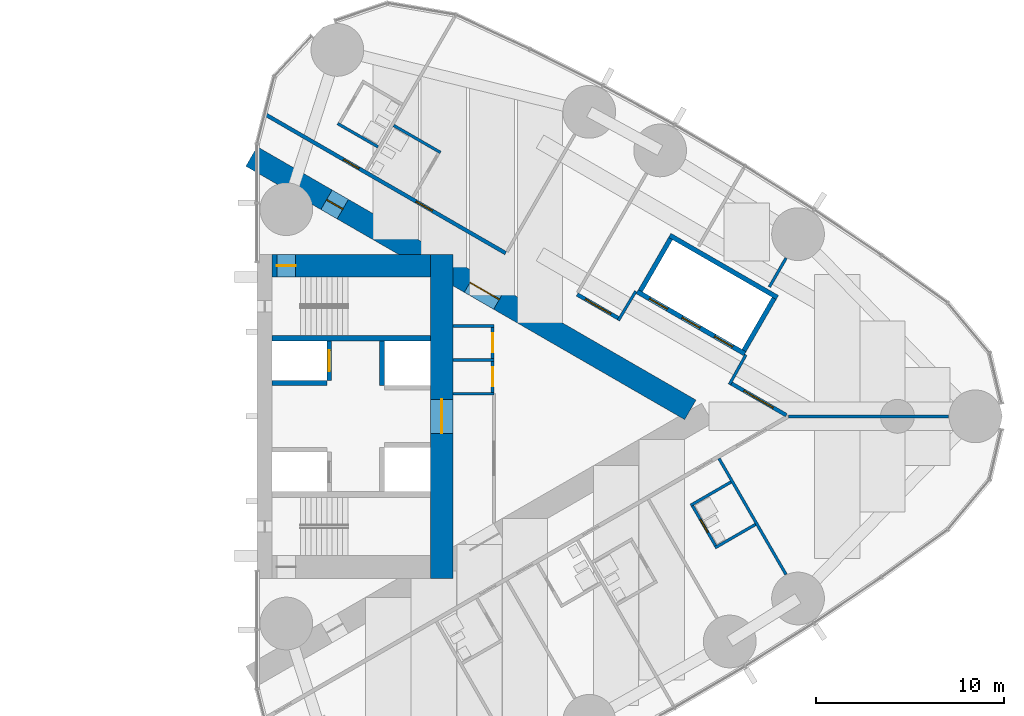
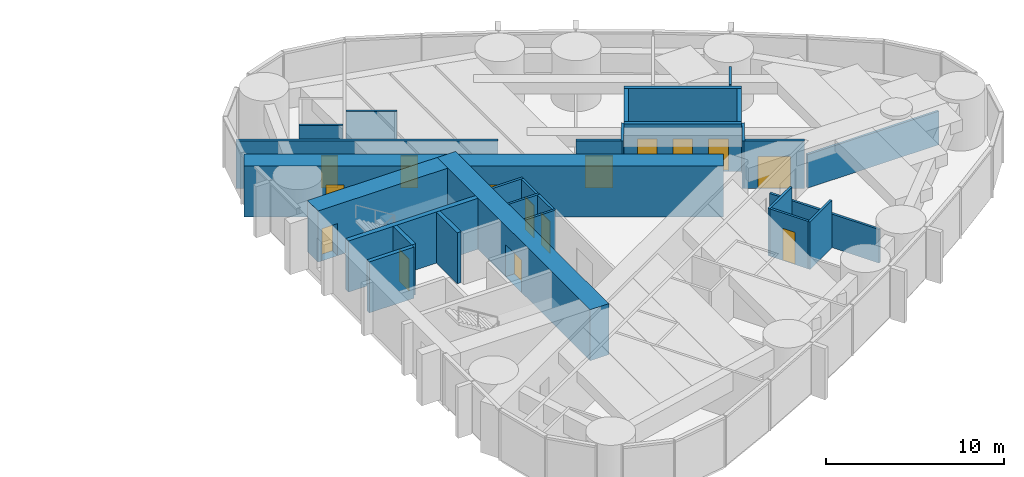
# One storey, part 15 of 19: 29 walls, 15 doors, 15 openings.
"""IFC4 building model written with IfcOpenShell, lengths in metres."""

from ifc_helpers import new_model, si_unit, direction, frame, frame_2d, origin, place, context, subcontext, project, spatial, rectangle, extrude, material, layer, layer_set, type_object, element, fill, save


model = new_model("IFC4")

# Units and contexts
model_context = context("Model", 3, precision=1e-05, world=origin(), true_north=direction((0.0, 1.0)))
body_context = subcontext(model_context, "Body", "Model", "MODEL_VIEW")
ifc_project = project(units=[si_unit("LENGTHUNIT", "METRE"), si_unit("AREAUNIT", "SQUARE_METRE"), si_unit("VOLUMEUNIT", "CUBIC_METRE"), si_unit("PLANEANGLEUNIT", "RADIAN"), si_unit("MASSUNIT", "GRAM", prefix="KILO")], contexts=[model_context])

# Site, building, storey
site_placement = place(None, origin())
site = spatial("IfcSite", under=ifc_project, at=site_placement, CompositionType="ELEMENT")
building_placement = place(site_placement, origin())
building = spatial("IfcBuilding", under=site, at=building_placement, Name="Lancet Gate Hotel", CompositionType="ELEMENT")
storey_placement = place(building_placement, frame((0.0, 0.0, 198.300048828125)))
storey = spatial("IfcBuildingStorey", under=building, at=storey_placement, Name="L53", CompositionType="ELEMENT", Elevation=198.300048828125)

# Wall
ifc_material_1 = material(Name="Moisture resistant board partition")
ifc_layer_1 = layer(ifc_material_1, 0.14990234375)
ifc_layer_set_1 = layer_set([ifc_layer_1], Name="Bathroom wall 150")
wall_type_1 = type_object("IfcWallType", Name="Bathroom wall 150", PredefinedType="PARTITIONING", material=ifc_layer_set_1)
wall_1_placement = place(storey_placement, frame((51.81689453125, -6.9775390625, 0.0), z_axis=(0.0, 0.0, 1.0), x_axis=(0.866006523861, 0.500032699561, 0.0)))
element("IfcWall", 1, at=wall_1_placement, inside=storey, type_object=wall_type_1, Name="T2 bathroom wall 150 L53", PredefinedType="PARTITIONING", context=body_context, shape_type="SweptSolid", body=[
    extrude(rectangle(XDim=2.474853515625, YDim=0.14990234375, at=frame_2d((1.2373046875, 0.0))), origin(), (0.0, 0.0, 1.0), 3.25),
])

# Wall, opening, door
wall_2_placement = place(storey_placement, frame((50.581787109375, -4.688232421875, 0.0), z_axis=(0.0, 0.0, 1.0), x_axis=(0.500006934395, -0.866021400173, 0.0)))
wall_2 = element("IfcWall", 2, at=wall_2_placement, inside=storey, type_object=wall_type_1, Name="T2 bathroom wall 150 L53", PredefinedType="PARTITIONING", context=body_context, shape_type="SweptSolid", body=[
    extrude(rectangle(XDim=2.60009765625, YDim=0.14990234375, at=frame_2d((1.300048828125, 0.0))), origin(), (0.0, 0.0, 1.0), 3.25),
])
opening_1_placement = place(wall_2_placement, frame((0.89990234375, 0.0, 0.0)))
opening_1 = element("IfcOpeningElement", 3, at=opening_1_placement, cuts=wall_2, Name="Opening 5356-B", PredefinedType="OPENING", context=body_context, shape_type="SweptSolid", body=[
    extrude(rectangle(XDim=0.800048828125, YDim=2.199951171875, at=frame_2d((0.39990234375, 1.10009765625))), frame((0.0, 0.0849609375, 0.0), z_axis=(0.0, -1.0, 0.0), x_axis=(1.0, 0.0, 0.0)), (0.0, 0.0, 1.0), 0.169921875),
])
ifc_material_2 = material(Name="Timber door set", Category="wood")
door_type_1 = type_object("IfcDoorType", Name="Bathroom door 800", OperationType="SINGLE_SWING_RIGHT", PredefinedType="DOOR", material=ifc_material_2)
door_1_placement = place(opening_1_placement, origin())
door_1 = element("IfcDoor", 4, at=door_1_placement, inside=storey, type_object=door_type_1, Name="5356-B", OperationType="SINGLE_SWING_RIGHT", OverallHeight=2.199951171875, OverallWidth=0.800048828125, PredefinedType="DOOR", context=body_context, shape_type="SweptSolid", body=[
    extrude(rectangle(XDim=0.800048828125, YDim=2.199951171875, at=frame_2d((0.39990234375, 1.10009765625))), frame((0.0, 0.02490234375, 0.0), z_axis=(0.0, -1.0, 0.0), x_axis=(1.0, 0.0, 0.0)), (0.0, 0.0, 1.0), 0.050048828125),
])
fill(opening_1, door_1)

# Walls
wall_3_placement = place(storey_placement, frame((50.516845703125, -4.725830078125, 0.0), z_axis=(0.0, 0.0, 1.0), x_axis=(0.866031185235, 0.4999899861, 0.0)))
element("IfcWall", 5, at=wall_3_placement, inside=storey, type_object=wall_type_1, Name="T2 bathroom wall 150 L53", PredefinedType="PARTITIONING", context=body_context, shape_type="SweptSolid", body=[
    extrude(rectangle(XDim=2.47509765625, YDim=0.14990234375, at=frame_2d((1.237548828125, 0.0))), origin(), (0.0, 0.0, 1.0), 3.25),
])
wall_4_placement = place(storey_placement, frame((34.74853515625, 15.4462890625, 0.0), z_axis=(0.0, 0.0, 1.0), x_axis=(0.866018712932, -0.500011588718, 0.0)))
element("IfcWall", 6, at=wall_4_placement, inside=storey, type_object=wall_type_1, Name="T2 bathroom wall 150 L53", PredefinedType="PARTITIONING", context=body_context, shape_type="SweptSolid", body=[
    extrude(rectangle(XDim=2.875, YDim=0.14990234375, at=frame_2d((1.4375, 0.0))), origin(), (0.0, 0.0, 1.0), 3.25),
])
wall_5_placement = place(storey_placement, frame((31.775146484375, 15.54638671875, 0.0), z_axis=(0.0, 0.0, 1.0), x_axis=(0.866031185235, -0.4999899861, 0.0)))
element("IfcWall", 7, at=wall_5_placement, inside=storey, type_object=wall_type_1, Name="T2 bathroom wall 150 L53", PredefinedType="PARTITIONING", context=body_context, shape_type="SweptSolid", body=[
    extrude(rectangle(XDim=2.47509765625, YDim=0.14990234375, at=frame_2d((1.237548828125, 0.0))), origin(), (0.0, 0.0, 1.0), 3.25),
])

# Wall, openings, doors
ifc_material_3 = material(Name="Concrete C70/85", Category="concrete")
ifc_layer_2 = layer(ifc_material_3, 1.199951171875)
ifc_layer_set_2 = layer_set([ifc_layer_2], Name="Buttress wall 1200")
wall_type_2 = type_object("IfcWallType", Name="Buttress wall 1200", PredefinedType="SHEAR", material=ifc_layer_set_2)
wall_6_placement = place(storey_placement, frame((27.199951171875, 13.800048828125, 0.0), z_axis=(0.0, 0.0, 1.0), x_axis=(0.866024515034, -0.500001539357, 0.0)))
wall_6 = element("IfcWall", 8, at=wall_6_placement, inside=storey, type_object=wall_type_2, Name="T2 buttress wall N L53", PredefinedType="SHEAR", context=body_context, shape_type="SweptSolid", body=[
    extrude(rectangle(XDim=26.9072265625, YDim=1.199951171875, at=frame_2d((13.45361328125, 0.0))), origin(), (0.0, 0.0, 1.0), 3.5),
])
opening_2_placement = place(wall_6_placement, frame((4.60009765625, 0.0, 0.0)))
opening_2 = element("IfcOpeningElement", 9, at=opening_2_placement, cuts=wall_6, Name="Opening T2-L53-LN", PredefinedType="OPENING", context=body_context, shape_type="SweptSolid", body=[
    extrude(rectangle(XDim=1.0, YDim=2.199951171875, at=frame_2d((0.5, 1.10009765625))), frame((0.0, 0.60986328125, 0.0), z_axis=(0.0, -1.0, 0.0), x_axis=(1.0, 0.0, 0.0)), (0.0, 0.0, 1.0), 1.219970703125),
])
opening_3_placement = place(wall_6_placement, frame((13.39453125, 0.0, 0.0)))
opening_3 = element("IfcOpeningElement", 10, at=opening_3_placement, cuts=wall_6, Name="Opening T2-L53-LHN", PredefinedType="OPENING", context=body_context, shape_type="SweptSolid", body=[
    extrude(rectangle(XDim=1.800048828125, YDim=2.199951171875, at=frame_2d((0.89990234375, 1.10009765625))), frame((0.0, 0.60986328125, 0.0), z_axis=(0.0, -1.0, 0.0), x_axis=(1.0, 0.0, 0.0)), (0.0, 0.0, 1.0), 1.219970703125),
])
ifc_material_4 = material(Name="Timber door set", Category="wood")
door_type_2 = type_object("IfcDoorType", Name="Lobby double door 1800", OperationType="DOUBLE_DOOR_SINGLE_SWING", PredefinedType="DOOR", material=ifc_material_4)
door_2_placement = place(opening_3_placement, origin())
door_2 = element("IfcDoor", 11, at=door_2_placement, inside=storey, type_object=door_type_2, Name="T2-L53-LHN", OperationType="DOUBLE_DOOR_SINGLE_SWING", OverallHeight=2.199951171875, OverallWidth=1.800048828125, PredefinedType="DOOR", context=body_context, shape_type="SweptSolid", body=[
    extrude(rectangle(XDim=1.800048828125, YDim=2.199951171875, at=frame_2d((0.89990234375, 1.10009765625))), frame((0.0, 0.02490234375, 0.0), z_axis=(0.0, -1.0, 0.0), x_axis=(1.0, 0.0, 0.0)), (0.0, 0.0, 1.0), 0.050048828125),
])
fill(opening_3, door_2)
ifc_material_5 = material(Name="Timber door set", Category="wood")
door_type_3 = type_object("IfcDoorType", Name="Stair lobby door 1000", OperationType="SINGLE_SWING_LEFT", PredefinedType="DOOR", material=ifc_material_5)
door_3_placement = place(opening_2_placement, origin())
door_3 = element("IfcDoor", 12, at=door_3_placement, inside=storey, type_object=door_type_3, Name="T2-L53-LN", OperationType="SINGLE_SWING_LEFT", OverallHeight=2.199951171875, OverallWidth=1.0, PredefinedType="DOOR", context=body_context, shape_type="SweptSolid", body=[
    extrude(rectangle(XDim=1.0, YDim=2.199951171875, at=frame_2d((0.5, 1.10009765625))), frame((0.0, 0.02490234375, 0.0), z_axis=(0.0, -1.0, 0.0), x_axis=(1.0, 0.0, 0.0)), (0.0, 0.0, 1.0), 0.050048828125),
])
fill(opening_2, door_3)

# Wall, opening, door
ifc_material_6 = material(Name="Concrete C70/85", Category="concrete")
ifc_layer_3 = layer(ifc_material_6, 1.199951171875)
ifc_layer_set_3 = layer_set([ifc_layer_3], Name="Core wall 1200")
wall_type_3 = type_object("IfcWallType", Name="Core wall 1200", PredefinedType="SHEAR", material=ifc_layer_set_3)
wall_7_placement = place(storey_placement, frame((37.300048828125, -8.60009765625, 0.0), z_axis=(0.0, 0.0, 1.0), x_axis=(0.0, 1.0, 0.0)))
wall_7 = element("IfcWall", 13, at=wall_7_placement, inside=storey, type_object=wall_type_3, Name="T2 core wall back L53", PredefinedType="SHEAR", context=body_context, shape_type="SweptSolid", body=[
    extrude(rectangle(XDim=17.2001953125, YDim=1.199951171875, at=frame_2d((8.60009765625, 0.0))), origin(), (0.0, 0.0, 1.0), 3.5),
])
opening_4_placement = place(wall_7_placement, frame((7.699951171875, 0.0, 0.0)))
opening_4 = element("IfcOpeningElement", 14, at=opening_4_placement, cuts=wall_7, Name="Opening T2-L53-LL", PredefinedType="OPENING", context=body_context, shape_type="SweptSolid", body=[
    extrude(rectangle(XDim=1.800048828125, YDim=2.199951171875, at=frame_2d((0.89990234375, 1.10009765625))), frame((0.0, 0.60986328125, 0.0), z_axis=(0.0, -1.0, 0.0), x_axis=(1.0, 0.0, 0.0)), (0.0, 0.0, 1.0), 1.219970703125),
])
door_4_placement = place(opening_4_placement, origin())
door_4 = element("IfcDoor", 15, at=door_4_placement, inside=storey, type_object=door_type_2, Name="T2-L53-LL", OperationType="DOUBLE_DOOR_SINGLE_SWING", OverallHeight=2.199951171875, OverallWidth=1.800048828125, PredefinedType="DOOR", context=body_context, shape_type="SweptSolid", body=[
    extrude(rectangle(XDim=1.800048828125, YDim=2.199951171875, at=frame_2d((0.89990234375, 1.10009765625))), frame((0.0, 0.02490234375, 0.0), z_axis=(0.0, -1.0, 0.0), x_axis=(1.0, 0.0, 0.0)), (0.0, 0.0, 1.0), 0.050048828125),
])
fill(opening_4, door_4)

wall_8_placement = place(storey_placement, frame((28.300048828125, 8.0, 0.0), z_axis=(0.0, 0.0, 1.0), x_axis=(1.0, 0.0, 0.0)))
wall_8 = element("IfcWall", 16, at=wall_8_placement, inside=storey, type_object=wall_type_3, Name="T2 core wall side-N L53", PredefinedType="SHEAR", context=body_context, shape_type="SweptSolid", body=[
    extrude(rectangle(XDim=8.39990234375, YDim=1.199951171875, at=frame_2d((4.199951171875, 0.0))), origin(), (0.0, 0.0, 1.0), 3.5),
])
opening_5_placement = place(wall_8_placement, frame((0.25, 0.0, 0.0)))
opening_5 = element("IfcOpeningElement", 17, at=opening_5_placement, cuts=wall_8, Name="Opening T2-L53-ST2", PredefinedType="OPENING", context=body_context, shape_type="SweptSolid", body=[
    extrude(rectangle(XDim=1.0, YDim=2.199951171875, at=frame_2d((0.5, 1.10009765625))), frame((0.0, 0.60986328125, 0.0), z_axis=(0.0, -1.0, 0.0), x_axis=(1.0, 0.0, 0.0)), (0.0, 0.0, 1.0), 1.219970703125),
])
ifc_material_7 = material(Name="Timber door set", Category="wood")
door_type_4 = type_object("IfcDoorType", Name="Stair door 1000", OperationType="SINGLE_SWING_RIGHT", PredefinedType="DOOR", material=ifc_material_7)
door_5_placement = place(opening_5_placement, origin())
door_5 = element("IfcDoor", 18, at=door_5_placement, inside=storey, type_object=door_type_4, Name="T2-L53-ST2", OperationType="SINGLE_SWING_RIGHT", OverallHeight=2.199951171875, OverallWidth=1.0, PredefinedType="DOOR", context=body_context, shape_type="SweptSolid", body=[
    extrude(rectangle(XDim=1.0, YDim=2.199951171875, at=frame_2d((0.5, 1.10009765625))), frame((0.0, 0.02490234375, 0.0), z_axis=(0.0, -1.0, 0.0), x_axis=(1.0, 0.0, 0.0)), (0.0, 0.0, 1.0), 0.050048828125),
])
fill(opening_5, door_5)

ifc_material_8 = material(Name="Gypsum board partition")
ifc_layer_4 = layer(ifc_material_8, 0.199951171875)
ifc_layer_set_4 = layer_set([ifc_layer_4], Name="Corridor wall 200")
wall_type_4 = type_object("IfcWallType", Name="Corridor wall 200", PredefinedType="PARTITIONING", material=ifc_layer_set_4)
wall_9_placement = place(storey_placement, frame((52.63916015625, 1.7685546875, 0.0), z_axis=(0.0, 0.0, 1.0), x_axis=(0.866027340901, -0.4999966448, 0.0)))
wall_9 = element("IfcWall", 19, at=wall_9_placement, inside=storey, type_object=wall_type_4, Name="T2 corridor wall 200 L53", PredefinedType="PARTITIONING", context=body_context, shape_type="SweptSolid", body=[
    extrude(rectangle(XDim=3.4169921875, YDim=0.199951171875, at=frame_2d((1.70849609375, 0.0))), origin(), (0.0, 0.0, 1.0), 3.25),
])
opening_6_placement = place(wall_9_placement, frame((0.80859375, 0.0, 0.0)))
opening_6 = element("IfcOpeningElement", 20, at=opening_6_placement, cuts=wall_9, Name="Opening T2-L53-LO1", PredefinedType="OPENING", context=body_context, shape_type="SweptSolid", body=[
    extrude(rectangle(XDim=1.800048828125, YDim=2.199951171875, at=frame_2d((0.89990234375, 1.10009765625))), frame((0.0, 0.10986328125, 0.0), z_axis=(0.0, -1.0, 0.0), x_axis=(1.0, 0.0, 0.0)), (0.0, 0.0, 1.0), 0.219970703125),
])
ifc_material_9 = material(Name="Timber door set", Category="wood")
door_type_5 = type_object("IfcDoorType", Name="Double door 1800", OperationType="DOUBLE_DOOR_SINGLE_SWING", PredefinedType="DOOR", material=ifc_material_9)
door_6_placement = place(opening_6_placement, origin())
door_6 = element("IfcDoor", 21, at=door_6_placement, inside=storey, type_object=door_type_5, Name="T2-L53-LO1", OperationType="DOUBLE_DOOR_SINGLE_SWING", OverallHeight=2.199951171875, OverallWidth=1.800048828125, PredefinedType="DOOR", context=body_context, shape_type="SweptSolid", body=[
    extrude(rectangle(XDim=1.800048828125, YDim=2.199951171875, at=frame_2d((0.89990234375, 1.10009765625))), frame((0.0, 0.02490234375, 0.0), z_axis=(0.0, -1.0, 0.0), x_axis=(1.0, 0.0, 0.0)), (0.0, 0.0, 1.0), 0.050048828125),
])
fill(opening_6, door_6)

# Wall, openings, doors
wall_10_placement = place(storey_placement, frame((27.95947265625, 16.017333984375, 0.0), z_axis=(0.0, 0.0, 1.0), x_axis=(0.866024165033, -0.500002145574, 0.0)))
wall_10 = element("IfcWall", 22, at=wall_10_placement, inside=storey, type_object=wall_type_4, Name="T2 corridor wall 200 L53", PredefinedType="PARTITIONING", context=body_context, shape_type="SweptSolid", body=[
    extrude(rectangle(XDim=14.708984375, YDim=0.199951171875, at=frame_2d((7.3544921875, 0.0))), origin(), (0.0, 0.0, 1.0), 3.25),
])
opening_7_placement = place(wall_10_placement, frame((9.215087890625, 0.0, 0.0)))
opening_7 = element("IfcOpeningElement", 23, at=opening_7_placement, cuts=wall_10, Name="Opening 5362-E", PredefinedType="OPENING", context=body_context, shape_type="SweptSolid", body=[
    extrude(rectangle(XDim=1.0, YDim=2.199951171875, at=frame_2d((0.5, 1.10009765625))), frame((0.0, 0.10986328125, 0.0), z_axis=(0.0, -1.0, 0.0), x_axis=(1.0, 0.0, 0.0)), (0.0, 0.0, 1.0), 0.219970703125),
])
opening_8_placement = place(wall_10_placement, frame((4.764892578125, 0.0, 0.0)))
opening_8 = element("IfcOpeningElement", 24, at=opening_8_placement, cuts=wall_10, Name="Opening 5364-E", PredefinedType="OPENING", context=body_context, shape_type="SweptSolid", body=[
    extrude(rectangle(XDim=0.949951171875, YDim=2.199951171875, at=frame_2d((0.47509765625, 1.10009765625))), frame((0.0, 0.10986328125, 0.0), z_axis=(0.0, -1.0, 0.0), x_axis=(1.0, 0.0, 0.0)), (0.0, 0.0, 1.0), 0.219970703125),
])
ifc_material_10 = material(Name="Timber door set", Category="wood")
door_type_6 = type_object("IfcDoorType", Name="Accessible guest room door 1000", OperationType="SINGLE_SWING_LEFT", PredefinedType="DOOR", material=ifc_material_10)
door_7_placement = place(opening_7_placement, origin())
door_7 = element("IfcDoor", 25, at=door_7_placement, inside=storey, type_object=door_type_6, Name="5362-E", OperationType="SINGLE_SWING_LEFT", OverallHeight=2.199951171875, OverallWidth=1.0, PredefinedType="DOOR", context=body_context, shape_type="SweptSolid", body=[
    extrude(rectangle(XDim=1.0, YDim=2.199951171875, at=frame_2d((0.5, 1.10009765625))), frame((0.0, 0.02490234375, 0.0), z_axis=(0.0, -1.0, 0.0), x_axis=(1.0, 0.0, 0.0)), (0.0, 0.0, 1.0), 0.050048828125),
])
fill(opening_7, door_7)
ifc_material_11 = material(Name="Timber door set", Category="wood")
door_type_7 = type_object("IfcDoorType", Name="Guest room entry door 950", OperationType="SINGLE_SWING_LEFT", PredefinedType="DOOR", material=ifc_material_11)
door_8_placement = place(opening_8_placement, origin())
door_8 = element("IfcDoor", 26, at=door_8_placement, inside=storey, type_object=door_type_7, Name="5364-E", OperationType="SINGLE_SWING_LEFT", OverallHeight=2.199951171875, OverallWidth=0.949951171875, PredefinedType="DOOR", context=body_context, shape_type="SweptSolid", body=[
    extrude(rectangle(XDim=0.949951171875, YDim=2.199951171875, at=frame_2d((0.47509765625, 1.10009765625))), frame((0.0, 0.02490234375, 0.0), z_axis=(0.0, -1.0, 0.0), x_axis=(1.0, 0.0, 0.0)), (0.0, 0.0, 1.0), 0.050048828125),
])
fill(opening_8, door_8)

# Wall, opening, door
wall_11_placement = place(storey_placement, frame((44.4931640625, 6.4716796875, 0.0), z_axis=(0.0, 0.0, 1.0), x_axis=(0.866027140358, -0.499996992154, 0.0)))
wall_11 = element("IfcWall", 27, at=wall_11_placement, inside=storey, type_object=wall_type_4, Name="T2 corridor wall 200 L53", PredefinedType="PARTITIONING", context=body_context, shape_type="SweptSolid", body=[
    extrude(rectangle(XDim=2.56591796875, YDim=0.199951171875, at=frame_2d((1.282958984375, 0.0))), origin(), (0.0, 0.0, 1.0), 3.25),
])
opening_9_placement = place(wall_11_placement, frame((0.5, 0.0, 0.0)))
opening_9 = element("IfcOpeningElement", 28, at=opening_9_placement, cuts=wall_11, Name="Opening T2-L53-LO2", PredefinedType="OPENING", context=body_context, shape_type="SweptSolid", body=[
    extrude(rectangle(XDim=1.56591796875, YDim=2.199951171875, at=frame_2d((0.782958984375, 1.10009765625))), frame((0.0, 0.10986328125, 0.0), z_axis=(0.0, -1.0, 0.0), x_axis=(1.0, 0.0, 0.0)), (0.0, 0.0, 1.0), 0.219970703125),
])
door_9_placement = place(opening_9_placement, origin())
door_9 = element("IfcDoor", 29, at=door_9_placement, inside=storey, type_object=door_type_7, Name="T2-L53-LO2", OperationType="SINGLE_SWING_LEFT", OverallHeight=2.199951171875, OverallWidth=1.56591796875, PredefinedType="DOOR", context=body_context, shape_type="SweptSolid", body=[
    extrude(rectangle(XDim=1.56591796875, YDim=2.199951171875, at=frame_2d((0.782958984375, 1.10009765625))), frame((0.0, 0.02490234375, 0.0), z_axis=(0.0, -1.0, 0.0), x_axis=(1.0, 0.0, 0.0)), (0.0, 0.0, 1.0), 0.050048828125),
])
fill(opening_9, door_9)

# Wall, openings, doors
ifc_material_12 = material(Name="Gypsum board partition")
ifc_layer_5 = layer(ifc_material_12, 0.25)
ifc_layer_set_5 = layer_set([ifc_layer_5], Name="Lift shaft partition 250")
wall_type_5 = type_object("IfcWallType", Name="Lift shaft partition 250", PredefinedType="PARTITIONING", material=ifc_layer_set_5)
wall_12_placement = place(storey_placement, frame((47.681396484375, 6.622314453125, 0.0), z_axis=(0.0, 0.0, 1.0), x_axis=(0.86603344179, -0.499986077507, 0.0)))
wall_12 = element("IfcWall", 30, at=wall_12_placement, inside=storey, type_object=wall_type_5, Name="T2 lift shaft wall HL L53", PredefinedType="PARTITIONING", context=body_context, shape_type="SweptSolid", body=[
    extrude(rectangle(XDim=6.600341796875, YDim=0.25, at=frame_2d((3.30029296875, 0.0))), origin(), (0.0, 0.0, 1.0), 3.25),
])
opening_10_placement = place(wall_12_placement, frame((0.75, 0.0, 0.0)))
opening_10 = element("IfcOpeningElement", 31, at=opening_10_placement, cuts=wall_12, Name="Opening T2-HL1-L53", PredefinedType="OPENING", context=body_context, shape_type="SweptSolid", body=[
    extrude(rectangle(XDim=1.10009765625, YDim=2.199951171875, at=frame_2d((0.550048828125, 1.10009765625))), frame((0.0, 0.135009765625, 0.0), z_axis=(0.0, -1.0, 0.0), x_axis=(1.0, 0.0, 0.0)), (0.0, 0.0, 1.0), 0.27001953125),
])
opening_11_placement = place(wall_12_placement, frame((2.75, 0.0, 0.0)))
opening_11 = element("IfcOpeningElement", 32, at=opening_11_placement, cuts=wall_12, Name="Opening T2-HL2-L53", PredefinedType="OPENING", context=body_context, shape_type="SweptSolid", body=[
    extrude(rectangle(XDim=1.10009765625, YDim=2.199951171875, at=frame_2d((0.550048828125, 1.10009765625))), frame((0.0, 0.135009765625, 0.0), z_axis=(0.0, -1.0, 0.0), x_axis=(1.0, 0.0, 0.0)), (0.0, 0.0, 1.0), 0.27001953125),
])
opening_12_placement = place(wall_12_placement, frame((4.75, 0.0, 0.0)))
opening_12 = element("IfcOpeningElement", 33, at=opening_12_placement, cuts=wall_12, Name="Opening T2-HL3-L53", PredefinedType="OPENING", context=body_context, shape_type="SweptSolid", body=[
    extrude(rectangle(XDim=1.10009765625, YDim=2.199951171875, at=frame_2d((0.550048828125, 1.10009765625))), frame((0.0, 0.135009765625, 0.0), z_axis=(0.0, -1.0, 0.0), x_axis=(1.0, 0.0, 0.0)), (0.0, 0.0, 1.0), 0.27001953125),
])
ifc_material_13 = material(Name="Steel door set", Category="steel")
door_type_8 = type_object("IfcDoorType", Name="Lift landing door 1100", OperationType="DOUBLE_DOOR_SLIDING", PredefinedType="USERDEFINED", material=ifc_material_13)
door_10_placement = place(opening_10_placement, origin())
door_10 = element("IfcDoor", 34, at=door_10_placement, inside=storey, type_object=door_type_8, Name="T2-HL1-L53", ObjectType="LIFT LANDING DOOR", OperationType="DOUBLE_DOOR_SLIDING", OverallHeight=2.199951171875, OverallWidth=1.10009765625, PredefinedType="USERDEFINED", context=body_context, shape_type="SweptSolid", body=[
    extrude(rectangle(XDim=1.10009765625, YDim=2.199951171875, at=frame_2d((0.550048828125, 1.10009765625))), frame((0.0, 0.02490234375, 0.0), z_axis=(0.0, -1.0, 0.0), x_axis=(1.0, 0.0, 0.0)), (0.0, 0.0, 1.0), 0.050048828125),
])
fill(opening_10, door_10)
door_11_placement = place(opening_11_placement, origin())
door_11 = element("IfcDoor", 35, at=door_11_placement, inside=storey, type_object=door_type_8, Name="T2-HL2-L53", ObjectType="LIFT LANDING DOOR", OperationType="DOUBLE_DOOR_SLIDING", OverallHeight=2.199951171875, OverallWidth=1.10009765625, PredefinedType="USERDEFINED", context=body_context, shape_type="SweptSolid", body=[
    extrude(rectangle(XDim=1.10009765625, YDim=2.199951171875, at=frame_2d((0.550048828125, 1.10009765625))), frame((0.0, 0.02490234375, 0.0), z_axis=(0.0, -1.0, 0.0), x_axis=(1.0, 0.0, 0.0)), (0.0, 0.0, 1.0), 0.050048828125),
])
fill(opening_11, door_11)
door_12_placement = place(opening_12_placement, origin())
door_12 = element("IfcDoor", 36, at=door_12_placement, inside=storey, type_object=door_type_8, Name="T2-HL3-L53", ObjectType="LIFT LANDING DOOR", OperationType="DOUBLE_DOOR_SLIDING", OverallHeight=2.199951171875, OverallWidth=1.10009765625, PredefinedType="USERDEFINED", context=body_context, shape_type="SweptSolid", body=[
    extrude(rectangle(XDim=1.10009765625, YDim=2.199951171875, at=frame_2d((0.550048828125, 1.10009765625))), frame((0.0, 0.02490234375, 0.0), z_axis=(0.0, -1.0, 0.0), x_axis=(1.0, 0.0, 0.0)), (0.0, 0.0, 1.0), 0.050048828125),
])
fill(opening_12, door_12)

# Walls
wall_13_placement = place(storey_placement, frame((49.406494140625, 9.61083984375, 0.0), z_axis=(0.0, 0.0, 1.0), x_axis=(0.86603344179, -0.499986077507, 0.0)))
element("IfcWall", 37, at=wall_13_placement, inside=storey, type_object=wall_type_5, Name="T2 lift shaft wall HL L53", PredefinedType="PARTITIONING", context=body_context, shape_type="SweptSolid", body=[
    extrude(rectangle(XDim=6.600341796875, YDim=0.25, at=frame_2d((3.30029296875, 0.0))), origin(), (0.0, 0.0, 1.0), 3.25),
])
wall_14_placement = place(storey_placement, frame((47.852294921875, 6.66796875, 0.0), z_axis=(0.0, 0.0, 1.0), x_axis=(0.499929347863, 0.866066190972, 0.0)))
element("IfcWall", 38, at=wall_14_placement, inside=storey, type_object=wall_type_5, Name="T2 lift shaft wall HL L53", PredefinedType="PARTITIONING", context=body_context, shape_type="SweptSolid", body=[
    extrude(rectangle(XDim=3.20068359375, YDim=0.25, at=frame_2d((1.600341796875, 0.0))), origin(), (0.0, 0.0, 1.0), 3.25),
])
wall_15_placement = place(storey_placement, frame((53.351806640625, 3.492919921875, 0.0), z_axis=(0.0, 0.0, 1.0), x_axis=(0.499872130319, 0.866099216793, 0.0)))
element("IfcWall", 39, at=wall_15_placement, inside=storey, type_object=wall_type_5, Name="T2 lift shaft wall HL L53", PredefinedType="PARTITIONING", context=body_context, shape_type="SweptSolid", body=[
    extrude(rectangle(XDim=3.200439453125, YDim=0.25, at=frame_2d((1.60009765625, 0.0))), origin(), (0.0, 0.0, 1.0), 3.25),
])

# Wall, opening, door
ifc_material_14 = material(Name="Concrete C50/60", Category="concrete")
ifc_layer_6 = layer(ifc_material_14, 0.25)
ifc_layer_set_6 = layer_set([ifc_layer_6], Name="Lift shaft wall 250")
wall_type_6 = type_object("IfcWallType", Name="Lift shaft wall 250", PredefinedType="SHEAR", material=ifc_layer_set_6)
wall_16_placement = place(storey_placement, frame((31.324951171875, 1.89990234375, 0.0), z_axis=(0.0, 0.0, 1.0), x_axis=(0.0, 1.0, 0.0)))
wall_16 = element("IfcWall", 40, at=wall_16_placement, inside=storey, type_object=wall_type_6, Name="T2 core wall row1-N L53", PredefinedType="SHEAR", context=body_context, shape_type="SweptSolid", body=[
    extrude(rectangle(XDim=2.10009765625, YDim=0.25, at=frame_2d((1.050048828125, 0.0))), origin(), (0.0, 0.0, 1.0), 3.5),
])
opening_13_placement = place(wall_16_placement, frame((0.5, 0.0, 0.0)))
opening_13 = element("IfcOpeningElement", 41, at=opening_13_placement, cuts=wall_16, Name="Opening T2-FL2-L53", PredefinedType="OPENING", context=body_context, shape_type="SweptSolid", body=[
    extrude(rectangle(XDim=1.10009765625, YDim=2.199951171875, at=frame_2d((0.550048828125, 1.10009765625))), frame((0.0, 0.135009765625, 0.0), z_axis=(0.0, -1.0, 0.0), x_axis=(1.0, 0.0, 0.0)), (0.0, 0.0, 1.0), 0.27001953125),
])
ifc_material_15 = material(Name="Steel door set", Category="steel")
door_type_9 = type_object("IfcDoorType", Name="Firefighting lift landing door 1100", OperationType="SLIDING_TO_LEFT", PredefinedType="USERDEFINED", material=ifc_material_15)
door_13_placement = place(opening_13_placement, origin())
door_13 = element("IfcDoor", 42, at=door_13_placement, inside=storey, type_object=door_type_9, Name="T2-FL2-L53", ObjectType="LIFT LANDING DOOR", OperationType="SLIDING_TO_LEFT", OverallHeight=2.199951171875, OverallWidth=1.10009765625, PredefinedType="USERDEFINED", context=body_context, shape_type="SweptSolid", body=[
    extrude(rectangle(XDim=1.10009765625, YDim=2.199951171875, at=frame_2d((0.550048828125, 1.10009765625))), frame((0.0, 0.02490234375, 0.0), z_axis=(0.0, -1.0, 0.0), x_axis=(1.0, 0.0, 0.0)), (0.0, 0.0, 1.0), 0.050048828125),
])
fill(opening_13, door_13)

# Walls
wall_17_placement = place(storey_placement, frame((34.125, 1.64990234375, 0.0), z_axis=(0.0, 0.0, 1.0), x_axis=(0.0, 1.0, 0.0)))
element("IfcWall", 43, at=wall_17_placement, inside=storey, type_object=wall_type_6, Name="T2 core wall row2-N L53", PredefinedType="SHEAR", context=body_context, shape_type="SweptSolid", body=[
    extrude(rectangle(XDim=2.35009765625, YDim=0.25, at=frame_2d((1.175048828125, 0.0))), origin(), (0.0, 0.0, 1.0), 3.5),
])
wall_18_placement = place(storey_placement, frame((28.300048828125, 1.77490234375, 0.0), z_axis=(0.0, 0.0, 1.0), x_axis=(1.0, 0.0, 0.0)))
element("IfcWall", 44, at=wall_18_placement, inside=storey, type_object=wall_type_6, Name="T2 core wall pass1-N L53", PredefinedType="SHEAR", context=body_context, shape_type="SweptSolid", body=[
    extrude(rectangle(XDim=2.89990234375, YDim=0.25, at=frame_2d((1.449951171875, 0.0))), origin(), (0.0, 0.0, 1.0), 3.5),
])
ifc_material_16 = material(Name="Gypsum board partition")
ifc_layer_7 = layer(ifc_material_16, 0.14990234375)
ifc_layer_set_7 = layer_set([ifc_layer_7], Name="Party wall 150")
wall_type_7 = type_object("IfcWallType", Name="Party wall 150", PredefinedType="PARTITIONING", material=ifc_layer_set_7)
wall_19_placement = place(storey_placement, frame((52.025390625, -2.23828125, 0.0), z_axis=(0.0, 0.0, 1.0), x_axis=(0.499983785035, -0.866034765296, 0.0)))
element("IfcWall", 45, at=wall_19_placement, inside=storey, type_object=wall_type_7, Name="T2 party wall 150 L53", PredefinedType="PARTITIONING", context=body_context, shape_type="SweptSolid", body=[
    extrude(rectangle(XDim=7.116455078125, YDim=0.14990234375, at=frame_2d((3.55810546875, 0.0))), origin(), (0.0, 0.0, 1.0), 2.300048828125),
])
wall_20_placement = place(storey_placement, frame((55.7021484375, 0.0, 0.0), z_axis=(0.0, 0.0, 1.0), x_axis=(1.0, 0.0, 0.0)))
element("IfcWall", 46, at=wall_20_placement, inside=storey, type_object=wall_type_7, Name="T2 party wall 150 L53", PredefinedType="PARTITIONING", context=body_context, shape_type="SweptSolid", body=[
    extrude(rectangle(XDim=8.517578125, YDim=0.14990234375, at=frame_2d((4.2587890625, 0.0))), origin(), (0.0, 0.0, 1.0), 2.300048828125),
])
wall_21_placement = place(storey_placement, frame((54.700439453125, 6.871826171875, 0.0), z_axis=(0.0, 0.0, 1.0), x_axis=(0.499989690894, 0.866031355668, 0.0)))
element("IfcWall", 47, at=wall_21_placement, inside=storey, type_object=wall_type_7, Name="T2 party wall 150 L53", PredefinedType="PARTITIONING", context=body_context, shape_type="SweptSolid", body=[
    extrude(rectangle(XDim=1.76611328125, YDim=0.14990234375, at=frame_2d((0.883056640625, 0.0))), origin(), (0.0, 0.0, 1.0), 3.25),
])
ifc_material_17 = material(Name="Gypsum board partition")
ifc_layer_8 = layer(ifc_material_17, 0.14990234375)
ifc_layer_set_8 = layer_set([ifc_layer_8], Name="Service room wall 150")
wall_type_8 = type_object("IfcWallType", Name="Service room wall 150", PredefinedType="PARTITIONING", material=ifc_layer_set_8)
for number, where, z_axis, x_axis, name in (
    (48, (52.576171875, 1.689453125, 0.0), (0.0, 0.0, 1.0), (0.485482130951, 0.874246590229, 0.0), "T2 service room wall 150 L53"),
    (49, (47.6064453125, 6.642578125, 0.0), (0.0, 0.0, 1.0), (-0.514237157483, -0.857648031458, 0.0), "T2 service room wall 150 L53"),
):
    element("IfcWall", number, at=place(storey_placement, frame(where, z_axis=z_axis, x_axis=x_axis)), inside=storey, type_object=wall_type_8, Name=name, PredefinedType="PARTITIONING", context=body_context, shape_type="SweptSolid", body=[
        extrude(rectangle(XDim=1.804931640625, YDim=0.14990234375, at=frame_2d((0.90234375, 0.0))), origin(), (0.0, 0.0, 1.0), 3.25),
    ])
for number, where, z_axis, x_axis, name in (
    (50, (37.89990234375, 1.199951171875, 0.0), (0.0, 0.0, 1.0), (1.0, 0.0, 0.0), "T2 service room wall 150 L53"),
    (51, (37.89990234375, 3.0, 0.0), (0.0, 0.0, 1.0), (1.0, 0.0, 0.0), "T2 service room wall 150 L53"),
    (52, (37.89990234375, 4.800048828125, 0.0), (0.0, 0.0, 1.0), (1.0, 0.0, 0.0), "T2 service room wall 150 L53"),
):
    element("IfcWall", number, at=place(storey_placement, frame(where, z_axis=z_axis, x_axis=x_axis)), inside=storey, type_object=wall_type_8, Name=name, PredefinedType="PARTITIONING", context=body_context, shape_type="SweptSolid", body=[
        extrude(rectangle(XDim=2.175048828125, YDim=0.14990234375, at=frame_2d((1.08740234375, 0.0))), origin(), (0.0, 0.0, 1.0), 3.25),
    ])

# Wall, opening, door
wall_22_placement = place(storey_placement, frame((40.0, 1.125, 0.0), z_axis=(0.0, 0.0, 1.0), x_axis=(0.0, 1.0, 0.0)))
wall_22 = element("IfcWall", 53, at=wall_22_placement, inside=storey, type_object=wall_type_8, Name="T2 service room wall 150 L53", PredefinedType="PARTITIONING", context=body_context, shape_type="SweptSolid", body=[
    extrude(rectangle(XDim=1.949951171875, YDim=0.14990234375, at=frame_2d((0.97509765625, 0.0))), origin(), (0.0, 0.0, 1.0), 3.25),
])
opening_14_placement = place(wall_22_placement, frame((0.47509765625, 0.0, 0.0)))
opening_14 = element("IfcOpeningElement", 54, at=opening_14_placement, cuts=wall_22, Name="Opening T2-L53-HRN0", PredefinedType="OPENING", context=body_context, shape_type="SweptSolid", body=[
    extrude(rectangle(XDim=1.0, YDim=2.199951171875, at=frame_2d((0.5, 1.10009765625))), frame((0.0, 0.0849609375, 0.0), z_axis=(0.0, -1.0, 0.0), x_axis=(1.0, 0.0, 0.0)), (0.0, 0.0, 1.0), 0.169921875),
])
ifc_material_18 = material(Name="Timber door set", Category="wood")
door_type_10 = type_object("IfcDoorType", Name="Service door 1000", OperationType="SINGLE_SWING_LEFT", PredefinedType="DOOR", material=ifc_material_18)
door_14_placement = place(opening_14_placement, origin())
door_14 = element("IfcDoor", 55, at=door_14_placement, inside=storey, type_object=door_type_10, Name="T2-L53-HRN0", OperationType="SINGLE_SWING_LEFT", OverallHeight=2.199951171875, OverallWidth=1.0, PredefinedType="DOOR", context=body_context, shape_type="SweptSolid", body=[
    extrude(rectangle(XDim=1.0, YDim=2.199951171875, at=frame_2d((0.5, 1.10009765625))), frame((0.0, 0.02490234375, 0.0), z_axis=(0.0, -1.0, 0.0), x_axis=(1.0, 0.0, 0.0)), (0.0, 0.0, 1.0), 0.050048828125),
])
fill(opening_14, door_14)

wall_23_placement = place(storey_placement, frame((40.0, 2.925048828125, 0.0), z_axis=(0.0, 0.0, 1.0), x_axis=(0.0, 1.0, 0.0)))
wall_23 = element("IfcWall", 56, at=wall_23_placement, inside=storey, type_object=wall_type_8, Name="T2 service room wall 150 L53", PredefinedType="PARTITIONING", context=body_context, shape_type="SweptSolid", body=[
    extrude(rectangle(XDim=1.949951171875, YDim=0.14990234375, at=frame_2d((0.97509765625, 0.0))), origin(), (0.0, 0.0, 1.0), 3.25),
])
opening_15_placement = place(wall_23_placement, frame((0.47509765625, 0.0, 0.0)))
opening_15 = element("IfcOpeningElement", 57, at=opening_15_placement, cuts=wall_23, Name="Opening T2-L53-HRN1", PredefinedType="OPENING", context=body_context, shape_type="SweptSolid", body=[
    extrude(rectangle(XDim=1.0, YDim=2.199951171875, at=frame_2d((0.5, 1.10009765625))), frame((0.0, 0.0849609375, 0.0), z_axis=(0.0, -1.0, 0.0), x_axis=(1.0, 0.0, 0.0)), (0.0, 0.0, 1.0), 0.169921875),
])
door_15_placement = place(opening_15_placement, origin())
door_15 = element("IfcDoor", 58, at=door_15_placement, inside=storey, type_object=door_type_10, Name="T2-L53-HRN1", OperationType="SINGLE_SWING_LEFT", OverallHeight=2.199951171875, OverallWidth=1.0, PredefinedType="DOOR", context=body_context, shape_type="SweptSolid", body=[
    extrude(rectangle(XDim=1.0, YDim=2.199951171875, at=frame_2d((0.5, 1.10009765625))), frame((0.0, 0.02490234375, 0.0), z_axis=(0.0, -1.0, 0.0), x_axis=(1.0, 0.0, 0.0)), (0.0, 0.0, 1.0), 0.050048828125),
])
fill(opening_15, door_15)

# Wall
ifc_material_19 = material(Name="Concrete C50/60", Category="concrete")
ifc_layer_9 = layer(ifc_material_19, 0.300048828125)
ifc_layer_set_9 = layer_set([ifc_layer_9], Name="Stair enclosure wall 300")
wall_type_9 = type_object("IfcWallType", Name="Stair enclosure wall 300", PredefinedType="SHEAR", material=ifc_layer_set_9)
wall_24_placement = place(storey_placement, frame((28.300048828125, 4.14990234375, 0.0), z_axis=(0.0, 0.0, 1.0), x_axis=(1.0, 0.0, 0.0)))
element("IfcWall", 59, at=wall_24_placement, inside=storey, type_object=wall_type_9, Name="T2 core wall stair-N L53", PredefinedType="SHEAR", context=body_context, shape_type="SweptSolid", body=[
    extrude(rectangle(XDim=8.39990234375, YDim=0.300048828125, at=frame_2d((4.199951171875, 0.0))), origin(), (0.0, 0.0, 1.0), 3.5),
])

save(model, "model.ifc")
